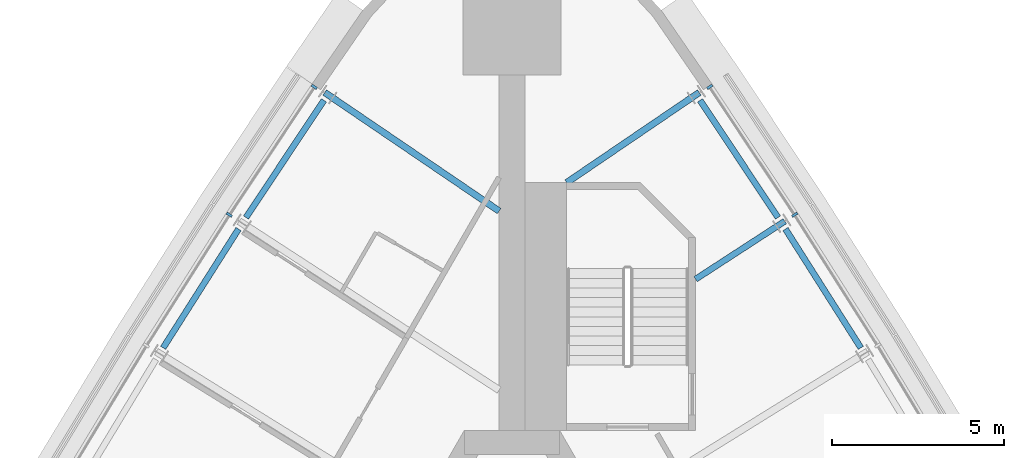
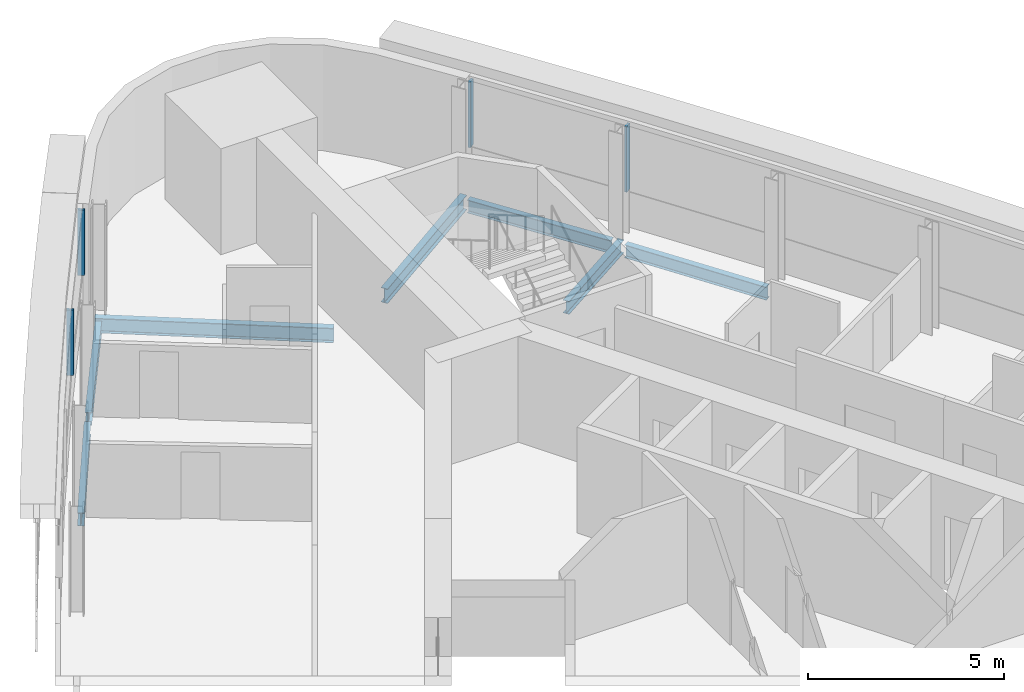
# One storey, part 6 of 12: 7 beams, 4 members, 2 elements without a shape of their own.
"""IFC4 building model written with IfcOpenShell, lengths in metres."""

import ifcopenshell
import ifcopenshell.guid

model = None  # the IFC model being written
_history = None  # IfcOwnerHistory: only IFC2X3 demands one
_inside = {}  # id of a spatial element -> (the spatial element, [elements in it])
_under = {}  # id of a project, library or spatial element -> (it, [spatial elements below it])
_declared = {}  # id of a project -> (the project, [libraries it declares])
_typed = {}  # id of a type object -> (the type object, [elements of that type])
_made_of = {}  # id of a material, layer set ... -> (it, [elements and type objects made of it])


def new_model(schema):
    """Start an empty IFC model of exactly this schema.

    Asked for "IFC4X3", IfcOpenShell would pick the latest addendum, in which some entities
    have other attributes; the version numbers below select the first issue.
    IFC2X3 requires an IfcOwnerHistory on every rooted entity: one is made here for all.
    """
    global model, _history
    if schema == "IFC4X3":
        model = ifcopenshell.file(schema_version=(4, 3, 0, 0))
    else:
        model = ifcopenshell.file(schema=schema)
    _inside.clear()
    _under.clear()
    _declared.clear()
    _typed.clear()
    _made_of.clear()
    _history = None
    if model.schema == "IFC2X3":
        org = make("IfcOrganization", Name="unknown")
        user = make(
            "IfcPersonAndOrganization",
            ThePerson=make("IfcPerson", FamilyName="unknown"),
            TheOrganization=org,
        )
        app = make(
            "IfcApplication",
            ApplicationDeveloper=org,
            Version="unknown",
            ApplicationFullName="unknown",
            ApplicationIdentifier="unknown",
        )
        _history = make(
            "IfcOwnerHistory",
            OwningUser=user,
            OwningApplication=app,
            ChangeAction="ADDED",
            CreationDate=0,
        )
    return model


def make(cls, **values):
    """One entity of the class cls with the attributes given. An attribute that is None is left unset."""
    return model.create_entity(
        cls, **{name: value for name, value in values.items() if value is not None}
    )


def rooted(cls, **values):
    """An entity with a GlobalId (a new one), such as an element, a storey or a relation."""
    return make(cls, GlobalId=ifcopenshell.guid.new(), OwnerHistory=_history, **values)


def si_unit(unit_type, name, prefix=None):
    """IfcSIUnit, for example si_unit("LENGTHUNIT", "METRE", prefix="MILLI")."""
    return make("IfcSIUnit", UnitType=unit_type, Prefix=prefix, Name=name)


def assignment(units):
    """IfcUnitAssignment: the units of a project."""
    return None if units is None else make("IfcUnitAssignment", Units=units)


def point(xyz):
    """IfcCartesianPoint."""
    return None if xyz is None else make("IfcCartesianPoint", Coordinates=xyz)


def direction(xyz):
    """IfcDirection."""
    return None if xyz is None else make("IfcDirection", DirectionRatios=xyz)


def frame(location, z_axis=None, x_axis=None):
    """IfcAxis2Placement3D, a coordinate frame: its origin and axes. An axis left out is left unset."""
    return make(
        "IfcAxis2Placement3D",
        Location=point(location),
        Axis=direction(z_axis),
        RefDirection=direction(x_axis),
    )


def frame_2d(location, x_axis=None):
    """IfcAxis2Placement2D, a coordinate frame in the plane: its origin and x axis."""
    return make(
        "IfcAxis2Placement2D", Location=point(location), RefDirection=direction(x_axis)
    )


def origin():
    """The frame at (0, 0, 0) with its axes left unset."""
    return frame((0.0, 0.0, 0.0))


def origin_2d():
    """The frame at (0, 0) in the plane with its x axis left unset."""
    return frame_2d((0.0, 0.0))


def place(relative_to, where):
    """IfcLocalPlacement: puts the frame where relative to a parent placement (None: the world)."""
    return make(
        "IfcLocalPlacement", PlacementRelTo=relative_to, RelativePlacement=where
    )


def context(
    kind, dimensions, precision=None, world=None, true_north=None, identifier=None
):
    """IfcGeometricRepresentationContext, for example the 3D "Model" context."""
    return make(
        "IfcGeometricRepresentationContext",
        ContextIdentifier=identifier,
        ContextType=kind,
        CoordinateSpaceDimension=dimensions,
        Precision=precision,
        WorldCoordinateSystem=world,
        TrueNorth=true_north,
    )


def subcontext(parent, identifier, kind, view, scale=None):
    """IfcGeometricRepresentationSubContext, for example "Body" below "Model"."""
    return make(
        "IfcGeometricRepresentationSubContext",
        ContextIdentifier=identifier,
        ContextType=kind,
        ParentContext=parent,
        TargetScale=scale,
        TargetView=view,
    )


def project(units=None, contexts=None):
    """IfcProject with its units and contexts."""
    return rooted(
        "IfcProject",
        Name="project",
        RepresentationContexts=contexts,
        UnitsInContext=assignment(units),
    )


def spatial(cls, under=None, at=None, **own):
    """A site, building, storey or space (cls), placed at a placement, below another one or the project."""
    s = rooted(cls, ObjectPlacement=at, **own)
    if under is not None:
        _under.setdefault(under.id(), (under, []))[1].append(s)
    return s


def profile(cls, at=None, kind="AREA", **sizes):
    """A parametric profile (cls). Its sizes go by their IFC names, for example OverallWidth=200.0."""
    return make(cls, ProfileType=kind, Position=at, **sizes)


def rectangle(**sizes):
    """IfcRectangleProfileDef."""
    return profile("IfcRectangleProfileDef", **sizes)


def i_section(**sizes):
    """IfcIShapeProfileDef."""
    return profile("IfcIShapeProfileDef", **sizes)


def extrude(swept, where, along, depth):
    """IfcExtrudedAreaSolid: the profile swept, set in the frame where, extruded along a direction by depth."""
    return make(
        "IfcExtrudedAreaSolid",
        SweptArea=swept,
        Position=where,
        ExtrudedDirection=direction(along),
        Depth=depth,
    )


def shape(context_of_items, identifier, shape_type, items):
    """IfcShapeRepresentation: the items that make up one representation, for example the "Body"."""
    return make(
        "IfcShapeRepresentation",
        ContextOfItems=context_of_items,
        RepresentationIdentifier=identifier,
        RepresentationType=shape_type,
        Items=items,
    )


def material(Name=None, Category=None):
    """IfcMaterial."""
    return make("IfcMaterial", Name=Name, Category=Category)


def material_profile(
    of_material, cross_section, Name=None, Category=None, Priority=None
):
    """IfcMaterialProfile: a cross section and its material."""
    return make(
        "IfcMaterialProfile",
        Name=Name,
        Material=of_material,
        Profile=cross_section,
        Priority=Priority,
        Category=Category,
    )


def profile_set(profiles, Name=None, composite=None):
    """IfcMaterialProfileSet."""
    return make(
        "IfcMaterialProfileSet",
        Name=Name,
        MaterialProfiles=profiles,
        CompositeProfile=composite,
    )


def made_of(thing, what):
    """Note that an element or type object is made of a material, layer set ...; save() writes the relation."""
    if what is not None:
        _made_of.setdefault(what.id(), (what, []))[1].append(thing)
    return thing


def type_object(cls, material=None, **own):
    """A type object (cls), such as IfcWallType, which elements share."""
    return made_of(rooted(cls, **own), material)


def element(
    cls,
    number,
    at=None,
    inside=None,
    cuts=None,
    type_object=None,
    material=None,
    context=None,
    identifier="Body",
    shape_type=None,
    held_by="IfcProductDefinitionShape",
    body=None,
    shapes=None,
    **own,
):
    """One element of the class cls, such as IfcWall. Its Tag is "e" and its number.

    at: its placement. inside: the storey or other place that contains it. cuts: it is an
    opening in that element (IfcRelVoidsElement). A single representation is given by context,
    identifier, shape_type and body (its items); several are given by shapes. held_by: the class
    of the entity that holds the representations. save() writes the other relations.
    """
    e = rooted(cls, Tag="e%d" % number, ObjectPlacement=at, **own)
    if body is not None:
        shapes = [shape(context, identifier, shape_type, body)]
    if shapes is not None:
        e.Representation = make(held_by, Representations=shapes)
    if inside is not None:
        _inside.setdefault(inside.id(), (inside, []))[1].append(e)
    if cuts is not None:
        rooted(
            "IfcRelVoidsElement", RelatingBuildingElement=cuts, RelatedOpeningElement=e
        )
    if type_object is not None:
        _typed.setdefault(type_object.id(), (type_object, []))[1].append(e)
    return made_of(e, material)


def aggregate(whole, parts):
    """IfcRelAggregates: a whole, such as a stair, and the parts it consists of."""
    return rooted("IfcRelAggregates", RelatingObject=whole, RelatedObjects=parts)


def save(model, path):
    """Write the relations noted so far, then the file.

    IfcRelAggregates (storeys below a building ...), IfcRelContainedInSpatialStructure (elements
    in a storey), IfcRelDefinesByType, IfcRelAssociatesMaterial and IfcRelDeclares: one each for
    every whole, place, type object, material and project.
    """
    for whole, parts in _under.values():
        aggregate(whole, parts)
    for where, things in _inside.values():
        rooted(
            "IfcRelContainedInSpatialStructure",
            RelatedElements=things,
            RelatingStructure=where,
        )
    for kind, things in _typed.values():
        rooted("IfcRelDefinesByType", RelatedObjects=things, RelatingType=kind)
    for what, things in _made_of.values():
        rooted("IfcRelAssociatesMaterial", RelatedObjects=things, RelatingMaterial=what)
    for by, libraries in _declared.values():
        rooted("IfcRelDeclares", RelatingContext=by, RelatedDefinitions=libraries)
    model.write(path)


model = new_model("IFC4")

# Units and contexts
model_context = context("Model", 3, precision=1e-05, world=origin(), true_north=direction((0.0, 1.0)))
body_context = subcontext(model_context, "Body", "Model", "MODEL_VIEW")
ifc_project = project(units=[si_unit("LENGTHUNIT", "METRE"), si_unit("AREAUNIT", "SQUARE_METRE"), si_unit("VOLUMEUNIT", "CUBIC_METRE"), si_unit("PLANEANGLEUNIT", "RADIAN"), si_unit("MASSUNIT", "GRAM", prefix="KILO")], contexts=[model_context])

# Site, building, storey
site_placement = place(None, origin())
site = spatial("IfcSite", under=ifc_project, at=site_placement, CompositionType="ELEMENT")
building_placement = place(site_placement, origin())
building = spatial("IfcBuilding", under=site, at=building_placement, Name="Noor Cloister Tower", CompositionType="ELEMENT")
storey_placement = place(building_placement, frame((0.0, 0.0, 165.300048828125)))
storey = spatial("IfcBuildingStorey", under=building, at=storey_placement, Name="L42", CompositionType="ELEMENT", Elevation=165.300048828125)

# Curtain wall, members
ifc_material_1 = material(Name="Aluminium 6063-T6 anodised", Category="aluminium")
curtain_wall_type = type_object("IfcCurtainWallType", Name="Ribbon curtain wall, upper tower CW5", PredefinedType="NOTDEFINED", material=ifc_material_1)
curtain_wall_1_placement = place(storey_placement, origin())
curtain_wall_1 = element("IfcCurtainWall", 1, at=curtain_wall_1_placement, inside=storey, type_object=curtain_wall_type, Name="CW5 L42 NW run 1", PredefinedType="NOTDEFINED")
ifc_material_2 = material(Name="Aluminium 6063-T6 anodised", Category="aluminium")
ifc_material_profile_1 = material_profile(ifc_material_2, rectangle(XDim=0.179931640625, YDim=0.070068359375, at=origin_2d()), Name="180 x 70 mullion")
ifc_profile_set_1 = profile_set([ifc_material_profile_1], Name="Aluminium 6063-T6 anodised")
member_type = type_object("IfcMemberType", Name="Mullion CW5 70 x 180", PredefinedType="MULLION", material=ifc_profile_set_1)
member_1_placement = place(storey_placement, frame((-5.74560546875, 21.43994140625, 1.099853515625), z_axis=(0.0, 0.0, 1.0), x_axis=(0.832917232409, -0.553397582174, 0.0)))
member_1 = element("IfcMember", 2, at=member_1_placement, type_object=member_type, Name="CW5 mullion 1", PredefinedType="MULLION", context=body_context, shape_type="SweptSolid", body=[
    extrude(rectangle(XDim=0.179931640625, YDim=0.070068359375, at=origin_2d()), origin(), (0.0, 0.0, 1.0), 2.050048828125),
])
member_2_placement = place(storey_placement, frame((-8.216064453125, 17.721923828125, 1.099853515625), z_axis=(0.0, 0.0, 1.0), x_axis=(0.838667278943, -0.544644099602, 0.0)))
member_2 = element("IfcMember", 3, at=member_2_placement, type_object=member_type, Name="CW5 mullion 2", PredefinedType="MULLION", context=body_context, shape_type="SweptSolid", body=[
    extrude(rectangle(XDim=0.179931640625, YDim=0.070068359375, at=origin_2d()), origin(), (0.0, 0.0, 1.0), 2.050048828125),
])
aggregate(curtain_wall_1, [member_1, member_2])

curtain_wall_2_placement = place(storey_placement, origin())
curtain_wall_2 = element("IfcCurtainWall", 4, at=curtain_wall_2_placement, inside=storey, type_object=curtain_wall_type, Name="CW5 L42 NE run 3", PredefinedType="NOTDEFINED")
member_3_placement = place(storey_placement, frame((8.216064453125, 17.721923828125, 1.099853515625), z_axis=(0.0, 0.0, 1.0), x_axis=(-0.838667278943, -0.544644099602, 0.0)))
member_3 = element("IfcMember", 5, at=member_3_placement, type_object=member_type, Name="CW5 mullion 7", PredefinedType="MULLION", context=body_context, shape_type="SweptSolid", body=[
    extrude(rectangle(XDim=0.179931640625, YDim=0.070068359375, at=origin_2d()), origin(), (0.0, 0.0, 1.0), 2.050048828125),
])
member_4_placement = place(storey_placement, frame((5.74560546875, 21.43994140625, 1.099853515625), z_axis=(0.0, 0.0, 1.0), x_axis=(-0.832917232409, -0.553397582174, 0.0)))
member_4 = element("IfcMember", 6, at=member_4_placement, type_object=member_type, Name="CW5 mullion 8", PredefinedType="MULLION", context=body_context, shape_type="SweptSolid", body=[
    extrude(rectangle(XDim=0.179931640625, YDim=0.070068359375, at=origin_2d()), origin(), (0.0, 0.0, 1.0), 2.050048828125),
])
aggregate(curtain_wall_2, [member_3, member_4])

# Beams
ifc_material_3 = material(Name="Steel ASTM A992 Gr 50", Category="steel")
ifc_material_profile_2 = material_profile(ifc_material_3, i_section(OverallWidth=0.177978515625, OverallDepth=0.406005859375, WebThickness=0.0078125, FlangeThickness=0.0126953125, FilletRadius=0.01025390625, at=origin_2d()), Name="W410x60")
ifc_profile_set_2 = profile_set([ifc_material_profile_2], Name="Steel ASTM A992 Gr 50")
beam_type_1 = type_object("IfcBeamType", Name="Radial beam W410x60", PredefinedType="BEAM", material=ifc_profile_set_2)
beam_1_placement = place(storey_placement, frame((7.92822265625, 17.53515625, -0.403076171875), z_axis=(-0.838636629365, -0.544691292281, 0.0), x_axis=(0.544691292281, -0.838636629365, 0.0)))
element("IfcBeam", 7, at=beam_1_placement, inside=storey, type_object=beam_type_1, Name="Radial beam NE 07 L42", PredefinedType="BEAM", context=body_context, shape_type="SweptSolid", body=[
    extrude(i_section(OverallWidth=0.177978515625, OverallDepth=0.406005859375, WebThickness=0.0078125, FlangeThickness=0.0126953125, FilletRadius=0.01025390625, at=origin_2d()), origin(), (0.0, 0.0, 1.0), 3.09130859375),
])
ifc_material_4 = material(Name="Steel ASTM A992 Gr 50", Category="steel")
ifc_material_profile_3 = material_profile(ifc_material_4, i_section(OverallWidth=0.19091796875, OverallDepth=0.45703125, WebThickness=0.009033203125, FlangeThickness=0.014404296875, FilletRadius=0.01025390625, at=origin_2d()), Name="W460x74")
ifc_profile_set_3 = profile_set([ifc_material_profile_3], Name="Steel ASTM A992 Gr 50")
beam_type_2 = type_object("IfcBeamType", Name="Radial beam W460x74", PredefinedType="BEAM", material=ifc_profile_set_3)
beam_2_placement = place(storey_placement, frame((-5.443115234375, 21.275390625, -0.428466796875), z_axis=(0.827076903785, -0.562088778775, 0.0), x_axis=(0.562088778775, 0.827076903785, 0.0)))
element("IfcBeam", 8, at=beam_2_placement, inside=storey, type_object=beam_type_2, Name="Radial beam NW 01 L42", PredefinedType="BEAM", context=body_context, shape_type="SweptSolid", body=[
    extrude(i_section(OverallWidth=0.19091796875, OverallDepth=0.45703125, WebThickness=0.009033203125, FlangeThickness=0.014404296875, FilletRadius=0.01025390625, at=origin_2d()), origin(), (0.0, 0.0, 1.0), 6.127685546875),
])
beam_3_placement = place(storey_placement, frame((5.443115234375, 21.275390625, -0.428466796875), z_axis=(-0.827075588321, -0.562090714389, 0.0), x_axis=(0.562090714389, -0.827075588321, 0.0)))
element("IfcBeam", 9, at=beam_3_placement, inside=storey, type_object=beam_type_2, Name="Radial beam NE 08 L42", PredefinedType="BEAM", context=body_context, shape_type="SweptSolid", body=[
    extrude(i_section(OverallWidth=0.19091796875, OverallDepth=0.45703125, WebThickness=0.009033203125, FlangeThickness=0.014404296875, FilletRadius=0.01025390625, at=origin_2d()), origin(), (0.0, 0.0, 1.0), 4.6591796875),
])
ifc_material_5 = material(Name="Steel ASTM A992 Gr 50", Category="steel")
ifc_material_profile_4 = material_profile(ifc_material_5, i_section(OverallWidth=0.177978515625, OverallDepth=0.406005859375, WebThickness=0.0078125, FlangeThickness=0.0126953125, FilletRadius=0.01025390625, at=origin_2d()), Name="W410x60")
ifc_profile_set_4 = profile_set([ifc_material_profile_4], Name="Steel ASTM A992 Gr 50")
beam_type_3 = type_object("IfcBeamType", Name="Spandrel beam W410x60", PredefinedType="SPANDREL", material=ifc_profile_set_4)
for number, where, z_axis, x_axis, name in (
    (10, (-5.465087890625, 21.049072265625, -0.403076171875), (-0.553432045803, -0.832894333441, 0.0), (0.832894333441, -0.553432045803, 0.0), "Spandrel beam NW 01 L42"),
    (11, (-7.945556640625, 17.308349609375, -0.403076171875), (-0.535808888954, -0.844339288744, 0.0), (0.844339288744, -0.535808888954, 0.0), "Spandrel beam NW 02 L42"),
    (12, (10.13671875, 13.85546875, -0.403076171875), (-0.535808888954, 0.844339288744, 0.0), (-0.844339288744, -0.535808888954, 0.0), "Spandrel beam NE 06 L42"),
    (13, (7.728271484375, 17.64306640625, -0.403076171875), (-0.553432045803, 0.832894333441, 0.0), (-0.832894333441, -0.553432045803, 0.0), "Spandrel beam NE 07 L42"),
):
    element("IfcBeam", number, at=place(storey_placement, frame(where, z_axis=z_axis, x_axis=x_axis)), inside=storey, type_object=beam_type_3, Name=name, PredefinedType="SPANDREL", context=body_context, shape_type="SweptSolid", body=[
        extrude(i_section(OverallWidth=0.177978515625, OverallDepth=0.406005859375, WebThickness=0.0078125, FlangeThickness=0.0126953125, FilletRadius=0.01025390625, at=origin_2d()), origin(), (0.0, 0.0, 1.0), 4.08935546875),
    ])

save(model, "model.ifc")
